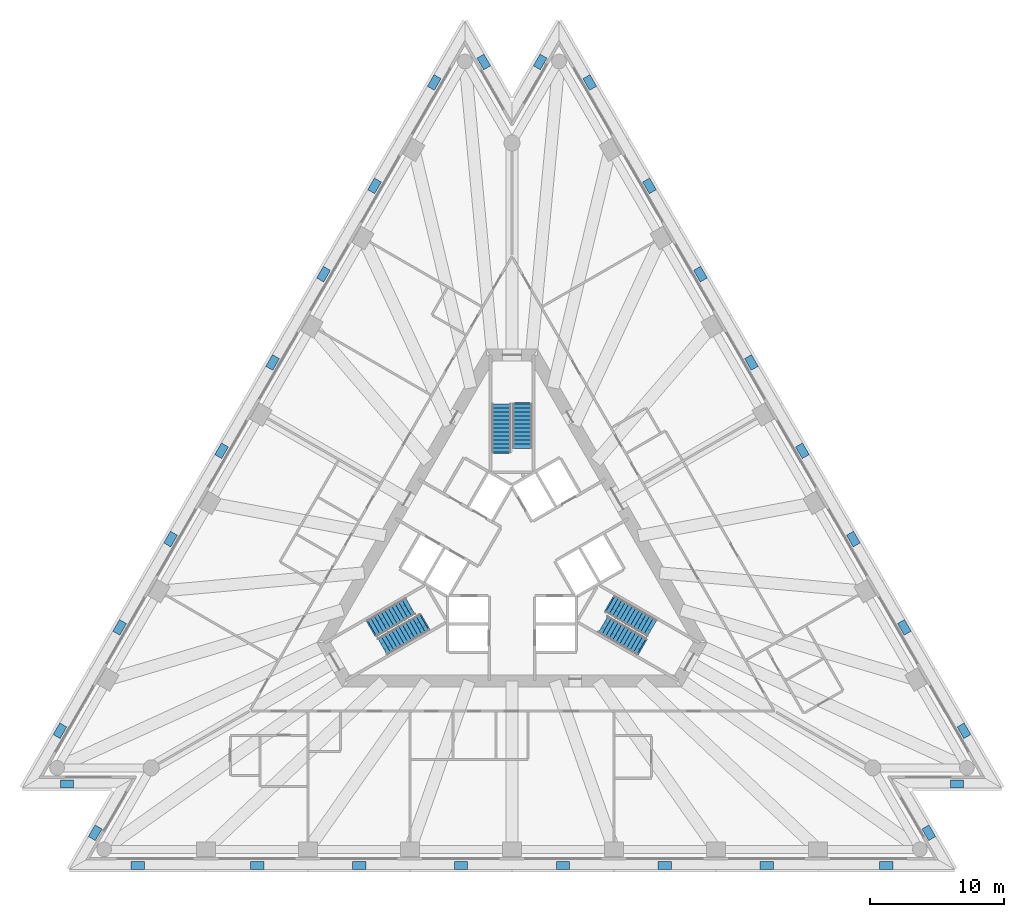
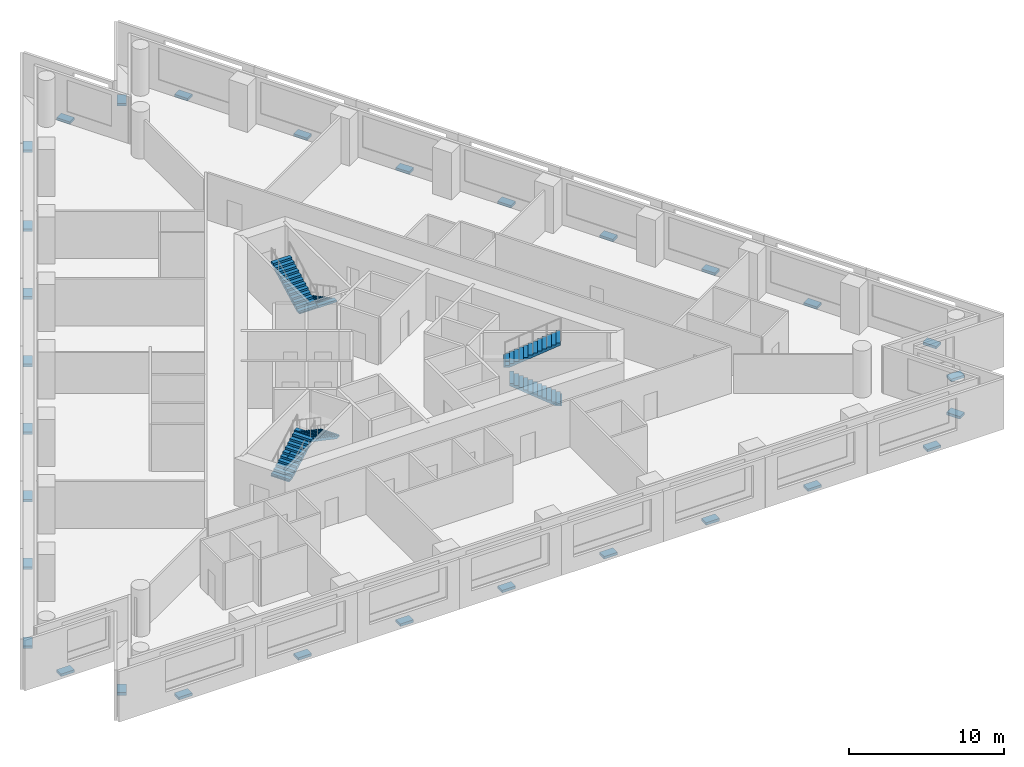
# One storey, part 9 of 11: 30 discrete accessories, 6 stair flights, 3 elements without a shape of their own.
"""IFC4 building model written with IfcOpenShell, lengths in metres."""

from ifc_helpers import new_model, si_unit, direction, frame, origin, origin_2d, place, context, subcontext, project, spatial, polyline, rectangle, outline, extrude, material, type_object, element, aggregate, save


model = new_model("IFC4")

# Units and contexts
model_context = context("Model", 3, precision=1e-05, world=origin(), true_north=direction((0.0, 1.0)))
body_context = subcontext(model_context, "Body", "Model", "MODEL_VIEW")
ifc_project = project(units=[si_unit("LENGTHUNIT", "METRE"), si_unit("AREAUNIT", "SQUARE_METRE"), si_unit("VOLUMEUNIT", "CUBIC_METRE"), si_unit("PLANEANGLEUNIT", "RADIAN"), si_unit("MASSUNIT", "GRAM", prefix="KILO")], contexts=[model_context])

# Site, building, storey
site_placement = place(None, origin())
site = spatial("IfcSite", under=ifc_project, at=site_placement, CompositionType="ELEMENT")
building_placement = place(site_placement, origin())
building = spatial("IfcBuilding", under=site, at=building_placement, Name="Triada Interchange Tower", CompositionType="ELEMENT")
storey_placement = place(building_placement, frame((0.0, 0.0, 35.300048828125)))
storey = spatial("IfcBuildingStorey", under=building, at=storey_placement, Name="L06", CompositionType="ELEMENT", Elevation=35.300048828125)

# Stair, stair flights
ifc_material_1 = material(Name="Concrete C35/45", Category="concrete")
stair_type = type_object("IfcStairType", Name="HALF TURN STAIR 1400", PredefinedType="HALF_TURN_STAIR", material=ifc_material_1)
stair_1_placement = place(storey_placement, origin())
stair_1 = element("IfcStair", 1, at=stair_1_placement, inside=storey, type_object=stair_type, Name="Exit stair S06-1", PredefinedType="HALF_TURN_STAIR")
stair_flight_type = type_object("IfcStairFlightType", Name="STRAIGHT STAIR FLIGHT 1400", PredefinedType="STRAIGHT", material=ifc_material_1)
stair_flight_1_placement = place(storey_placement, frame((0.800048828125, 11.60009765625, 0.0), z_axis=(0.0, 0.0, 1.0), x_axis=(0.0, -1.0, 0.0)))
stair_flight_1 = element("IfcStairFlight", 2, at=stair_flight_1_placement, type_object=stair_flight_type, Name="S06-1 flight 1", NumberOfRisers=12, NumberOfTreads=11, PredefinedType="STRAIGHT", RiserHeight=0.16, TreadLength=0.3, context=body_context, shape_type="SweptSolid", body=[
    extrude(outline(polyline([(-0.10009765625, 0.0), (-0.10009765625, 0.02001953125), (0.0, 0.02001953125), (0.0, 0.159912109375), (0.300048828125, 0.159912109375), (0.300048828125, 0.320068359375), (0.60009765625, 0.320068359375), (0.60009765625, 0.47998046875), (0.89990234375, 0.47998046875), (0.89990234375, 0.639892578125), (1.199951171875, 0.639892578125), (1.199951171875, 0.800048828125), (1.5, 0.800048828125), (1.5, 0.9599609375), (1.800048828125, 0.9599609375), (1.800048828125, 1.1201171875), (2.10009765625, 1.1201171875), (2.10009765625, 1.280029296875), (2.39990234375, 1.280029296875), (2.39990234375, 1.43994140625), (2.699951171875, 1.43994140625), (2.699951171875, 1.60009765625), (3.0, 1.60009765625), (3.0, 1.760009765625), (3.300048828125, 1.760009765625), (3.303955078125, 1.760009765625), (3.303955078125, 1.919921875), (3.303955078125, 1.590087890625), (0.318603515625, 0.0), (-0.10009765625, 0.0)])), frame((0.0, 0.699951171875, 0.0), z_axis=(0.0, -1.0, 0.0), x_axis=(1.0, 0.0, 0.0)), (0.0, 0.0, 1.0), 0.46533203125),
    extrude(outline(polyline([(-0.10009765625, 0.0), (-0.10009765625, 0.02001953125), (0.0, 0.02001953125), (0.0, 0.159912109375), (0.300048828125, 0.159912109375), (0.300048828125, 0.320068359375), (0.60009765625, 0.320068359375), (0.60009765625, 0.47998046875), (0.89990234375, 0.47998046875), (0.89990234375, 0.639892578125), (1.199951171875, 0.639892578125), (1.199951171875, 0.800048828125), (1.5, 0.800048828125), (1.5, 0.9599609375), (1.800048828125, 0.9599609375), (1.800048828125, 1.1201171875), (2.10009765625, 1.1201171875), (2.10009765625, 1.280029296875), (2.39990234375, 1.280029296875), (2.39990234375, 1.43994140625), (2.699951171875, 1.43994140625), (2.699951171875, 1.60009765625), (3.0, 1.60009765625), (3.0, 1.760009765625), (3.300048828125, 1.760009765625), (3.303955078125, 1.760009765625), (3.303955078125, 1.919921875), (3.303955078125, 1.590087890625), (0.318603515625, 0.0), (-0.10009765625, 0.0)])), frame((0.0, 0.232666015625, 0.0), z_axis=(0.0, -1.0, 0.0), x_axis=(1.0, 0.0, 0.0)), (0.0, 0.0, 1.0), 0.46533203125),
    extrude(outline(polyline([(-0.10009765625, 0.0), (-0.10009765625, 0.02001953125), (0.0, 0.02001953125), (0.0, 0.159912109375), (0.300048828125, 0.159912109375), (0.300048828125, 0.320068359375), (0.60009765625, 0.320068359375), (0.60009765625, 0.47998046875), (0.89990234375, 0.47998046875), (0.89990234375, 0.639892578125), (1.199951171875, 0.639892578125), (1.199951171875, 0.800048828125), (1.5, 0.800048828125), (1.5, 0.9599609375), (1.800048828125, 0.9599609375), (1.800048828125, 1.1201171875), (2.10009765625, 1.1201171875), (2.10009765625, 1.280029296875), (2.39990234375, 1.280029296875), (2.39990234375, 1.43994140625), (2.699951171875, 1.43994140625), (2.699951171875, 1.60009765625), (3.0, 1.60009765625), (3.0, 1.760009765625), (3.300048828125, 1.760009765625), (3.303955078125, 1.760009765625), (3.303955078125, 1.919921875), (3.303955078125, 1.590087890625), (0.318603515625, 0.0), (-0.10009765625, 0.0)])), frame((0.0, -0.234619140625, 0.0), z_axis=(0.0, -1.0, 0.0), x_axis=(1.0, 0.0, 0.0)), (0.0, 0.0, 1.0), 0.46533203125),
])
stair_flight_2_placement = place(storey_placement, frame((-0.800048828125, 8.0, 1.919921875), z_axis=(0.0, 0.0, 1.0), x_axis=(0.0, 1.0, 0.0)))
stair_flight_2 = element("IfcStairFlight", 3, at=stair_flight_2_placement, type_object=stair_flight_type, Name="S06-1 flight 2", NumberOfRisers=13, NumberOfTreads=12, PredefinedType="STRAIGHT", RiserHeight=0.16, TreadLength=0.3, context=body_context, shape_type="SweptSolid", body=[
    extrude(outline(polyline([(-0.10009765625, 0.0), (-0.10009765625, 0.02001953125), (0.0, 0.02001953125), (0.0, 0.159912109375), (0.300048828125, 0.159912109375), (0.300048828125, 0.320068359375), (0.60009765625, 0.320068359375), (0.60009765625, 0.47998046875), (0.89990234375, 0.47998046875), (0.89990234375, 0.639892578125), (1.199951171875, 0.639892578125), (1.199951171875, 0.800048828125), (1.5, 0.800048828125), (1.5, 0.9599609375), (1.800048828125, 0.9599609375), (1.800048828125, 1.1201171875), (2.10009765625, 1.1201171875), (2.10009765625, 1.280029296875), (2.39990234375, 1.280029296875), (2.39990234375, 1.43994140625), (2.699951171875, 1.43994140625), (2.699951171875, 1.60009765625), (3.0, 1.60009765625), (3.0, 1.760009765625), (3.300048828125, 1.760009765625), (3.300048828125, 1.919921875), (3.60009765625, 1.919921875), (3.60400390625, 1.919921875), (3.60400390625, 2.080078125), (3.60400390625, 1.75), (0.318603515625, 0.0), (-0.10009765625, 0.0)])), frame((0.0, 0.699951171875, 0.0), z_axis=(0.0, -1.0, 0.0), x_axis=(1.0, 0.0, 0.0)), (0.0, 0.0, 1.0), 0.46533203125),
    extrude(outline(polyline([(-0.10009765625, 0.0), (-0.10009765625, 0.02001953125), (0.0, 0.02001953125), (0.0, 0.159912109375), (0.300048828125, 0.159912109375), (0.300048828125, 0.320068359375), (0.60009765625, 0.320068359375), (0.60009765625, 0.47998046875), (0.89990234375, 0.47998046875), (0.89990234375, 0.639892578125), (1.199951171875, 0.639892578125), (1.199951171875, 0.800048828125), (1.5, 0.800048828125), (1.5, 0.9599609375), (1.800048828125, 0.9599609375), (1.800048828125, 1.1201171875), (2.10009765625, 1.1201171875), (2.10009765625, 1.280029296875), (2.39990234375, 1.280029296875), (2.39990234375, 1.43994140625), (2.699951171875, 1.43994140625), (2.699951171875, 1.60009765625), (3.0, 1.60009765625), (3.0, 1.760009765625), (3.300048828125, 1.760009765625), (3.300048828125, 1.919921875), (3.60009765625, 1.919921875), (3.60400390625, 1.919921875), (3.60400390625, 2.080078125), (3.60400390625, 1.75), (0.318603515625, 0.0), (-0.10009765625, 0.0)])), frame((0.0, 0.232666015625, 0.0), z_axis=(0.0, -1.0, 0.0), x_axis=(1.0, 0.0, 0.0)), (0.0, 0.0, 1.0), 0.46533203125),
    extrude(outline(polyline([(-0.10009765625, 0.0), (-0.10009765625, 0.02001953125), (0.0, 0.02001953125), (0.0, 0.159912109375), (0.300048828125, 0.159912109375), (0.300048828125, 0.320068359375), (0.60009765625, 0.320068359375), (0.60009765625, 0.47998046875), (0.89990234375, 0.47998046875), (0.89990234375, 0.639892578125), (1.199951171875, 0.639892578125), (1.199951171875, 0.800048828125), (1.5, 0.800048828125), (1.5, 0.9599609375), (1.800048828125, 0.9599609375), (1.800048828125, 1.1201171875), (2.10009765625, 1.1201171875), (2.10009765625, 1.280029296875), (2.39990234375, 1.280029296875), (2.39990234375, 1.43994140625), (2.699951171875, 1.43994140625), (2.699951171875, 1.60009765625), (3.0, 1.60009765625), (3.0, 1.760009765625), (3.300048828125, 1.760009765625), (3.300048828125, 1.919921875), (3.60009765625, 1.919921875), (3.60400390625, 1.919921875), (3.60400390625, 2.080078125), (3.60400390625, 1.75), (0.318603515625, 0.0), (-0.10009765625, 0.0)])), frame((0.0, -0.234619140625, 0.0), z_axis=(0.0, -1.0, 0.0), x_axis=(1.0, 0.0, 0.0)), (0.0, 0.0, 1.0), 0.46533203125),
])
aggregate(stair_1, [stair_flight_1, stair_flight_2])

stair_2_placement = place(storey_placement, origin())
stair_2 = element("IfcStair", 4, at=stair_2_placement, inside=storey, type_object=stair_type, Name="Exit stair S06-2", PredefinedType="HALF_TURN_STAIR")
stair_flight_3_placement = place(storey_placement, frame((-10.446044921875, -5.10693359375, 0.0), z_axis=(0.0, 0.0, 1.0), x_axis=(0.866025403784, 0.5, 0.0)))
stair_flight_3 = element("IfcStairFlight", 5, at=stair_flight_3_placement, type_object=stair_flight_type, Name="S06-2 flight 1", NumberOfRisers=12, NumberOfTreads=11, PredefinedType="STRAIGHT", RiserHeight=0.16, TreadLength=0.3, context=body_context, shape_type="SweptSolid", body=[
    extrude(outline(polyline([(-0.10009765625, 0.0), (-0.10009765625, 0.02001953125), (0.0, 0.02001953125), (0.0, 0.159912109375), (0.300048828125, 0.159912109375), (0.300048828125, 0.320068359375), (0.60009765625, 0.320068359375), (0.60009765625, 0.47998046875), (0.89990234375, 0.47998046875), (0.89990234375, 0.639892578125), (1.199951171875, 0.639892578125), (1.199951171875, 0.800048828125), (1.5, 0.800048828125), (1.5, 0.9599609375), (1.800048828125, 0.9599609375), (1.800048828125, 1.1201171875), (2.10009765625, 1.1201171875), (2.10009765625, 1.280029296875), (2.39990234375, 1.280029296875), (2.39990234375, 1.43994140625), (2.699951171875, 1.43994140625), (2.699951171875, 1.60009765625), (3.0, 1.60009765625), (3.0, 1.760009765625), (3.300048828125, 1.760009765625), (3.303955078125, 1.760009765625), (3.303955078125, 1.919921875), (3.303955078125, 1.590087890625), (0.318603515625, 0.0), (-0.10009765625, 0.0)])), frame((0.0, 0.699951171875, 0.0), z_axis=(0.0, -1.0, 0.0), x_axis=(1.0, 0.0, 0.0)), (0.0, 0.0, 1.0), 0.46533203125),
    extrude(outline(polyline([(-0.10009765625, 0.0), (-0.10009765625, 0.02001953125), (0.0, 0.02001953125), (0.0, 0.159912109375), (0.300048828125, 0.159912109375), (0.300048828125, 0.320068359375), (0.60009765625, 0.320068359375), (0.60009765625, 0.47998046875), (0.89990234375, 0.47998046875), (0.89990234375, 0.639892578125), (1.199951171875, 0.639892578125), (1.199951171875, 0.800048828125), (1.5, 0.800048828125), (1.5, 0.9599609375), (1.800048828125, 0.9599609375), (1.800048828125, 1.1201171875), (2.10009765625, 1.1201171875), (2.10009765625, 1.280029296875), (2.39990234375, 1.280029296875), (2.39990234375, 1.43994140625), (2.699951171875, 1.43994140625), (2.699951171875, 1.60009765625), (3.0, 1.60009765625), (3.0, 1.760009765625), (3.300048828125, 1.760009765625), (3.303955078125, 1.760009765625), (3.303955078125, 1.919921875), (3.303955078125, 1.590087890625), (0.318603515625, 0.0), (-0.10009765625, 0.0)])), frame((0.0, 0.232666015625, 0.0), z_axis=(0.0, -1.0, 0.0), x_axis=(1.0, 0.0, 0.0)), (0.0, 0.0, 1.0), 0.46533203125),
    extrude(outline(polyline([(-0.10009765625, 0.0), (-0.10009765625, 0.02001953125), (0.0, 0.02001953125), (0.0, 0.159912109375), (0.300048828125, 0.159912109375), (0.300048828125, 0.320068359375), (0.60009765625, 0.320068359375), (0.60009765625, 0.47998046875), (0.89990234375, 0.47998046875), (0.89990234375, 0.639892578125), (1.199951171875, 0.639892578125), (1.199951171875, 0.800048828125), (1.5, 0.800048828125), (1.5, 0.9599609375), (1.800048828125, 0.9599609375), (1.800048828125, 1.1201171875), (2.10009765625, 1.1201171875), (2.10009765625, 1.280029296875), (2.39990234375, 1.280029296875), (2.39990234375, 1.43994140625), (2.699951171875, 1.43994140625), (2.699951171875, 1.60009765625), (3.0, 1.60009765625), (3.0, 1.760009765625), (3.300048828125, 1.760009765625), (3.303955078125, 1.760009765625), (3.303955078125, 1.919921875), (3.303955078125, 1.590087890625), (0.318603515625, 0.0), (-0.10009765625, 0.0)])), frame((0.0, -0.234619140625, 0.0), z_axis=(0.0, -1.0, 0.0), x_axis=(1.0, 0.0, 0.0)), (0.0, 0.0, 1.0), 0.46533203125),
])
stair_flight_4_placement = place(storey_placement, frame((-6.528076171875, -4.693115234375, 1.919921875), z_axis=(0.0, 0.0, 1.0), x_axis=(-0.866025403784, -0.5, 0.0)))
stair_flight_4 = element("IfcStairFlight", 6, at=stair_flight_4_placement, type_object=stair_flight_type, Name="S06-2 flight 2", NumberOfRisers=13, NumberOfTreads=12, PredefinedType="STRAIGHT", RiserHeight=0.16, TreadLength=0.3, context=body_context, shape_type="SweptSolid", body=[
    extrude(outline(polyline([(-0.10009765625, 0.0), (-0.10009765625, 0.02001953125), (0.0, 0.02001953125), (0.0, 0.159912109375), (0.300048828125, 0.159912109375), (0.300048828125, 0.320068359375), (0.60009765625, 0.320068359375), (0.60009765625, 0.47998046875), (0.89990234375, 0.47998046875), (0.89990234375, 0.639892578125), (1.199951171875, 0.639892578125), (1.199951171875, 0.800048828125), (1.5, 0.800048828125), (1.5, 0.9599609375), (1.800048828125, 0.9599609375), (1.800048828125, 1.1201171875), (2.10009765625, 1.1201171875), (2.10009765625, 1.280029296875), (2.39990234375, 1.280029296875), (2.39990234375, 1.43994140625), (2.699951171875, 1.43994140625), (2.699951171875, 1.60009765625), (3.0, 1.60009765625), (3.0, 1.760009765625), (3.300048828125, 1.760009765625), (3.300048828125, 1.919921875), (3.60009765625, 1.919921875), (3.60400390625, 1.919921875), (3.60400390625, 2.080078125), (3.60400390625, 1.75), (0.318603515625, 0.0), (-0.10009765625, 0.0)])), frame((0.0, 0.699951171875, 0.0), z_axis=(0.0, -1.0, 0.0), x_axis=(1.0, 0.0, 0.0)), (0.0, 0.0, 1.0), 0.46533203125),
    extrude(outline(polyline([(-0.10009765625, 0.0), (-0.10009765625, 0.02001953125), (0.0, 0.02001953125), (0.0, 0.159912109375), (0.300048828125, 0.159912109375), (0.300048828125, 0.320068359375), (0.60009765625, 0.320068359375), (0.60009765625, 0.47998046875), (0.89990234375, 0.47998046875), (0.89990234375, 0.639892578125), (1.199951171875, 0.639892578125), (1.199951171875, 0.800048828125), (1.5, 0.800048828125), (1.5, 0.9599609375), (1.800048828125, 0.9599609375), (1.800048828125, 1.1201171875), (2.10009765625, 1.1201171875), (2.10009765625, 1.280029296875), (2.39990234375, 1.280029296875), (2.39990234375, 1.43994140625), (2.699951171875, 1.43994140625), (2.699951171875, 1.60009765625), (3.0, 1.60009765625), (3.0, 1.760009765625), (3.300048828125, 1.760009765625), (3.300048828125, 1.919921875), (3.60009765625, 1.919921875), (3.60400390625, 1.919921875), (3.60400390625, 2.080078125), (3.60400390625, 1.75), (0.318603515625, 0.0), (-0.10009765625, 0.0)])), frame((0.0, 0.232666015625, 0.0), z_axis=(0.0, -1.0, 0.0), x_axis=(1.0, 0.0, 0.0)), (0.0, 0.0, 1.0), 0.46533203125),
    extrude(outline(polyline([(-0.10009765625, 0.0), (-0.10009765625, 0.02001953125), (0.0, 0.02001953125), (0.0, 0.159912109375), (0.300048828125, 0.159912109375), (0.300048828125, 0.320068359375), (0.60009765625, 0.320068359375), (0.60009765625, 0.47998046875), (0.89990234375, 0.47998046875), (0.89990234375, 0.639892578125), (1.199951171875, 0.639892578125), (1.199951171875, 0.800048828125), (1.5, 0.800048828125), (1.5, 0.9599609375), (1.800048828125, 0.9599609375), (1.800048828125, 1.1201171875), (2.10009765625, 1.1201171875), (2.10009765625, 1.280029296875), (2.39990234375, 1.280029296875), (2.39990234375, 1.43994140625), (2.699951171875, 1.43994140625), (2.699951171875, 1.60009765625), (3.0, 1.60009765625), (3.0, 1.760009765625), (3.300048828125, 1.760009765625), (3.300048828125, 1.919921875), (3.60009765625, 1.919921875), (3.60400390625, 1.919921875), (3.60400390625, 2.080078125), (3.60400390625, 1.75), (0.318603515625, 0.0), (-0.10009765625, 0.0)])), frame((0.0, -0.234619140625, 0.0), z_axis=(0.0, -1.0, 0.0), x_axis=(1.0, 0.0, 0.0)), (0.0, 0.0, 1.0), 0.46533203125),
])
aggregate(stair_2, [stair_flight_3, stair_flight_4])

stair_3_placement = place(storey_placement, origin())
stair_3 = element("IfcStair", 7, at=stair_3_placement, inside=storey, type_object=stair_type, Name="Exit stair S06-3", PredefinedType="HALF_TURN_STAIR")
stair_flight_5_placement = place(storey_placement, frame((9.64599609375, -6.492919921875, 0.0), z_axis=(0.0, 0.0, 1.0), x_axis=(-0.866025403784, 0.5, 0.0)))
stair_flight_5 = element("IfcStairFlight", 8, at=stair_flight_5_placement, type_object=stair_flight_type, Name="S06-3 flight 1", NumberOfRisers=12, NumberOfTreads=11, PredefinedType="STRAIGHT", RiserHeight=0.16, TreadLength=0.3, context=body_context, shape_type="SweptSolid", body=[
    extrude(outline(polyline([(-0.10009765625, 0.0), (-0.10009765625, 0.02001953125), (0.0, 0.02001953125), (0.0, 0.159912109375), (0.300048828125, 0.159912109375), (0.300048828125, 0.320068359375), (0.60009765625, 0.320068359375), (0.60009765625, 0.47998046875), (0.89990234375, 0.47998046875), (0.89990234375, 0.639892578125), (1.199951171875, 0.639892578125), (1.199951171875, 0.800048828125), (1.5, 0.800048828125), (1.5, 0.9599609375), (1.800048828125, 0.9599609375), (1.800048828125, 1.1201171875), (2.10009765625, 1.1201171875), (2.10009765625, 1.280029296875), (2.39990234375, 1.280029296875), (2.39990234375, 1.43994140625), (2.699951171875, 1.43994140625), (2.699951171875, 1.60009765625), (3.0, 1.60009765625), (3.0, 1.760009765625), (3.300048828125, 1.760009765625), (3.303955078125, 1.760009765625), (3.303955078125, 1.919921875), (3.303955078125, 1.590087890625), (0.318603515625, 0.0), (-0.10009765625, 0.0)])), frame((0.0, 0.699951171875, 0.0), z_axis=(0.0, -1.0, 0.0), x_axis=(1.0, 0.0, 0.0)), (0.0, 0.0, 1.0), 0.46533203125),
    extrude(outline(polyline([(-0.10009765625, 0.0), (-0.10009765625, 0.02001953125), (0.0, 0.02001953125), (0.0, 0.159912109375), (0.300048828125, 0.159912109375), (0.300048828125, 0.320068359375), (0.60009765625, 0.320068359375), (0.60009765625, 0.47998046875), (0.89990234375, 0.47998046875), (0.89990234375, 0.639892578125), (1.199951171875, 0.639892578125), (1.199951171875, 0.800048828125), (1.5, 0.800048828125), (1.5, 0.9599609375), (1.800048828125, 0.9599609375), (1.800048828125, 1.1201171875), (2.10009765625, 1.1201171875), (2.10009765625, 1.280029296875), (2.39990234375, 1.280029296875), (2.39990234375, 1.43994140625), (2.699951171875, 1.43994140625), (2.699951171875, 1.60009765625), (3.0, 1.60009765625), (3.0, 1.760009765625), (3.300048828125, 1.760009765625), (3.303955078125, 1.760009765625), (3.303955078125, 1.919921875), (3.303955078125, 1.590087890625), (0.318603515625, 0.0), (-0.10009765625, 0.0)])), frame((0.0, 0.232666015625, 0.0), z_axis=(0.0, -1.0, 0.0), x_axis=(1.0, 0.0, 0.0)), (0.0, 0.0, 1.0), 0.46533203125),
    extrude(outline(polyline([(-0.10009765625, 0.0), (-0.10009765625, 0.02001953125), (0.0, 0.02001953125), (0.0, 0.159912109375), (0.300048828125, 0.159912109375), (0.300048828125, 0.320068359375), (0.60009765625, 0.320068359375), (0.60009765625, 0.47998046875), (0.89990234375, 0.47998046875), (0.89990234375, 0.639892578125), (1.199951171875, 0.639892578125), (1.199951171875, 0.800048828125), (1.5, 0.800048828125), (1.5, 0.9599609375), (1.800048828125, 0.9599609375), (1.800048828125, 1.1201171875), (2.10009765625, 1.1201171875), (2.10009765625, 1.280029296875), (2.39990234375, 1.280029296875), (2.39990234375, 1.43994140625), (2.699951171875, 1.43994140625), (2.699951171875, 1.60009765625), (3.0, 1.60009765625), (3.0, 1.760009765625), (3.300048828125, 1.760009765625), (3.303955078125, 1.760009765625), (3.303955078125, 1.919921875), (3.303955078125, 1.590087890625), (0.318603515625, 0.0), (-0.10009765625, 0.0)])), frame((0.0, -0.234619140625, 0.0), z_axis=(0.0, -1.0, 0.0), x_axis=(1.0, 0.0, 0.0)), (0.0, 0.0, 1.0), 0.46533203125),
])
stair_flight_6_placement = place(storey_placement, frame((7.327880859375, -3.306884765625, 1.919921875), z_axis=(0.0, 0.0, 1.0), x_axis=(0.866025403784, -0.5, 0.0)))
stair_flight_6 = element("IfcStairFlight", 9, at=stair_flight_6_placement, type_object=stair_flight_type, Name="S06-3 flight 2", NumberOfRisers=13, NumberOfTreads=12, PredefinedType="STRAIGHT", RiserHeight=0.16, TreadLength=0.3, context=body_context, shape_type="SweptSolid", body=[
    extrude(outline(polyline([(-0.10009765625, 0.0), (-0.10009765625, 0.02001953125), (0.0, 0.02001953125), (0.0, 0.159912109375), (0.300048828125, 0.159912109375), (0.300048828125, 0.320068359375), (0.60009765625, 0.320068359375), (0.60009765625, 0.47998046875), (0.89990234375, 0.47998046875), (0.89990234375, 0.639892578125), (1.199951171875, 0.639892578125), (1.199951171875, 0.800048828125), (1.5, 0.800048828125), (1.5, 0.9599609375), (1.800048828125, 0.9599609375), (1.800048828125, 1.1201171875), (2.10009765625, 1.1201171875), (2.10009765625, 1.280029296875), (2.39990234375, 1.280029296875), (2.39990234375, 1.43994140625), (2.699951171875, 1.43994140625), (2.699951171875, 1.60009765625), (3.0, 1.60009765625), (3.0, 1.760009765625), (3.300048828125, 1.760009765625), (3.300048828125, 1.919921875), (3.60009765625, 1.919921875), (3.60400390625, 1.919921875), (3.60400390625, 2.080078125), (3.60400390625, 1.75), (0.318603515625, 0.0), (-0.10009765625, 0.0)])), frame((0.0, 0.699951171875, 0.0), z_axis=(0.0, -1.0, 0.0), x_axis=(1.0, 0.0, 0.0)), (0.0, 0.0, 1.0), 0.46533203125),
    extrude(outline(polyline([(-0.10009765625, 0.0), (-0.10009765625, 0.02001953125), (0.0, 0.02001953125), (0.0, 0.159912109375), (0.300048828125, 0.159912109375), (0.300048828125, 0.320068359375), (0.60009765625, 0.320068359375), (0.60009765625, 0.47998046875), (0.89990234375, 0.47998046875), (0.89990234375, 0.639892578125), (1.199951171875, 0.639892578125), (1.199951171875, 0.800048828125), (1.5, 0.800048828125), (1.5, 0.9599609375), (1.800048828125, 0.9599609375), (1.800048828125, 1.1201171875), (2.10009765625, 1.1201171875), (2.10009765625, 1.280029296875), (2.39990234375, 1.280029296875), (2.39990234375, 1.43994140625), (2.699951171875, 1.43994140625), (2.699951171875, 1.60009765625), (3.0, 1.60009765625), (3.0, 1.760009765625), (3.300048828125, 1.760009765625), (3.300048828125, 1.919921875), (3.60009765625, 1.919921875), (3.60400390625, 1.919921875), (3.60400390625, 2.080078125), (3.60400390625, 1.75), (0.318603515625, 0.0), (-0.10009765625, 0.0)])), frame((0.0, 0.232666015625, 0.0), z_axis=(0.0, -1.0, 0.0), x_axis=(1.0, 0.0, 0.0)), (0.0, 0.0, 1.0), 0.46533203125),
    extrude(outline(polyline([(-0.10009765625, 0.0), (-0.10009765625, 0.02001953125), (0.0, 0.02001953125), (0.0, 0.159912109375), (0.300048828125, 0.159912109375), (0.300048828125, 0.320068359375), (0.60009765625, 0.320068359375), (0.60009765625, 0.47998046875), (0.89990234375, 0.47998046875), (0.89990234375, 0.639892578125), (1.199951171875, 0.639892578125), (1.199951171875, 0.800048828125), (1.5, 0.800048828125), (1.5, 0.9599609375), (1.800048828125, 0.9599609375), (1.800048828125, 1.1201171875), (2.10009765625, 1.1201171875), (2.10009765625, 1.280029296875), (2.39990234375, 1.280029296875), (2.39990234375, 1.43994140625), (2.699951171875, 1.43994140625), (2.699951171875, 1.60009765625), (3.0, 1.60009765625), (3.0, 1.760009765625), (3.300048828125, 1.760009765625), (3.300048828125, 1.919921875), (3.60009765625, 1.919921875), (3.60400390625, 1.919921875), (3.60400390625, 2.080078125), (3.60400390625, 1.75), (0.318603515625, 0.0), (-0.10009765625, 0.0)])), frame((0.0, -0.234619140625, 0.0), z_axis=(0.0, -1.0, 0.0), x_axis=(1.0, 0.0, 0.0)), (0.0, 0.0, 1.0), 0.46533203125),
])
aggregate(stair_3, [stair_flight_5, stair_flight_6])

# Discrete accessories
ifc_material_2 = material(Name="Steel S355", Category="steel")
discrete_accessory_type = type_object("IfcDiscreteAccessoryType", Name="Steel bracket outer skin", PredefinedType="BRACKET", material=ifc_material_2)
for number, where, z_axis, x_axis, name in (
    (10, (-5.797119140625, 35.55908203125, -0.27001953125), (0.0, 0.0, 1.0), (-0.866020918253, 0.500007769087, 0.0), "Bracket L06 01"),
    (11, (-10.24609375, 27.85302734375, -0.27001953125), (0.0, 0.0, 1.0), (-0.866020918253, 0.500007769087, 0.0), "Bracket L06 02"),
    (12, (-14.0458984375, 21.27197265625, -0.27001953125), (0.0, 0.0, 1.0), (-0.866020918253, 0.500007769087, 0.0), "Bracket L06 03"),
    (13, (-17.844970703125, 14.69091796875, -0.27001953125), (0.0, 0.0, 1.0), (-0.866020918253, 0.500007769087, 0.0), "Bracket L06 04"),
    (14, (-21.64501953125, 8.10888671875, -0.27001953125), (0.0, 0.0, 1.0), (-0.866020918253, 0.500007769087, 0.0), "Bracket L06 05"),
    (15, (-25.445068359375, 1.528076171875, -0.27001953125), (0.0, 0.0, 1.0), (-0.866020918253, 0.500007769087, 0.0), "Bracket L06 06"),
    (16, (-29.2451171875, -5.052978515625, -0.27001953125), (0.0, 0.0, 1.0), (-0.866020918253, 0.500007769087, 0.0), "Bracket L06 07"),
    (17, (-33.694091796875, -12.759033203125, -0.27001953125), (0.0, 0.0, 1.0), (-0.866020918253, 0.500007769087, 0.0), "Bracket L06 08"),
    (18, (-33.1689453125, -16.72509765625, -0.27001953125), (0.0, 0.0, 1.0), (0.0, -1.0, 0.0), "Bracket L06 09"),
    (19, (-31.068115234375, -20.363037109375, -0.27001953125), (0.0, 0.0, 1.0), (-0.866050273655, 0.499956921647, 0.0), "Bracket L06 10"),
    (20, (-27.89599609375, -22.800048828125, -0.27001953125), (0.0, 0.0, 1.0), (0.0, -1.0, 0.0), "Bracket L06 11"),
    (21, (-18.998046875, -22.800048828125, -0.27001953125), (0.0, 0.0, 1.0), (0.0, -1.0, 0.0), "Bracket L06 12"),
    (22, (-11.39892578125, -22.800048828125, -0.27001953125), (0.0, 0.0, 1.0), (0.0, -1.0, 0.0), "Bracket L06 13"),
    (23, (-3.800048828125, -22.800048828125, -0.27001953125), (0.0, 0.0, 1.0), (0.0, -1.0, 0.0), "Bracket L06 14"),
    (24, (3.800048828125, -22.800048828125, -0.27001953125), (0.0, 0.0, 1.0), (0.0, -1.0, 0.0), "Bracket L06 15"),
    (25, (11.39892578125, -22.800048828125, -0.27001953125), (0.0, 0.0, 1.0), (0.0, -1.0, 0.0), "Bracket L06 16"),
    (26, (18.998046875, -22.800048828125, -0.27001953125), (0.0, 0.0, 1.0), (0.0, -1.0, 0.0), "Bracket L06 17"),
    (27, (27.89599609375, -22.800048828125, -0.27001953125), (0.0, 0.0, 1.0), (0.0, -1.0, 0.0), "Bracket L06 18"),
    (28, (31.068115234375, -20.363037109375, -0.27001953125), (0.0, 0.0, 1.0), (0.866050273655, 0.499956921647, 0.0), "Bracket L06 19"),
    (29, (33.1689453125, -16.72509765625, -0.27001953125), (0.0, 0.0, 1.0), (0.0, -1.0, 0.0), "Bracket L06 20"),
    (30, (33.694091796875, -12.759033203125, -0.27001953125), (0.0, 0.0, 1.0), (0.866020918253, 0.500007769087, 0.0), "Bracket L06 21"),
    (31, (29.2451171875, -5.052978515625, -0.27001953125), (0.0, 0.0, 1.0), (0.866020918253, 0.500007769087, 0.0), "Bracket L06 22"),
    (32, (25.445068359375, 1.528076171875, -0.27001953125), (0.0, 0.0, 1.0), (0.866020918253, 0.500007769087, 0.0), "Bracket L06 23"),
    (33, (21.64501953125, 8.10888671875, -0.27001953125), (0.0, 0.0, 1.0), (0.866020918253, 0.500007769087, 0.0), "Bracket L06 24"),
    (34, (17.844970703125, 14.69091796875, -0.27001953125), (0.0, 0.0, 1.0), (0.866020918253, 0.500007769087, 0.0), "Bracket L06 25"),
    (35, (14.0458984375, 21.27197265625, -0.27001953125), (0.0, 0.0, 1.0), (0.866020918253, 0.500007769087, 0.0), "Bracket L06 26"),
    (36, (10.24609375, 27.85302734375, -0.27001953125), (0.0, 0.0, 1.0), (0.866020918253, 0.500007769087, 0.0), "Bracket L06 27"),
    (37, (5.797119140625, 35.55908203125, -0.27001953125), (0.0, 0.0, 1.0), (0.866020918253, 0.500007769087, 0.0), "Bracket L06 28"),
    (38, (2.10009765625, 37.087890625, -0.27001953125), (0.0, 0.0, 1.0), (-0.866050273655, 0.499956921647, 0.0), "Bracket L06 29"),
    (39, (-2.10009765625, 37.087890625, -0.27001953125), (0.0, 0.0, 1.0), (0.866050273655, 0.499956921647, 0.0), "Bracket L06 30"),
):
    element("IfcDiscreteAccessory", number, at=place(storey_placement, frame(where, z_axis=z_axis, x_axis=x_axis)), inside=storey, type_object=discrete_accessory_type, Name=name, PredefinedType="BRACKET", context=body_context, shape_type="SweptSolid", body=[
        extrude(rectangle(XDim=0.60009765625, YDim=1.0, at=origin_2d()), origin(), (0.0, 0.0, 1.0), 0.199951171875),
    ])

save(model, "model.ifc")
